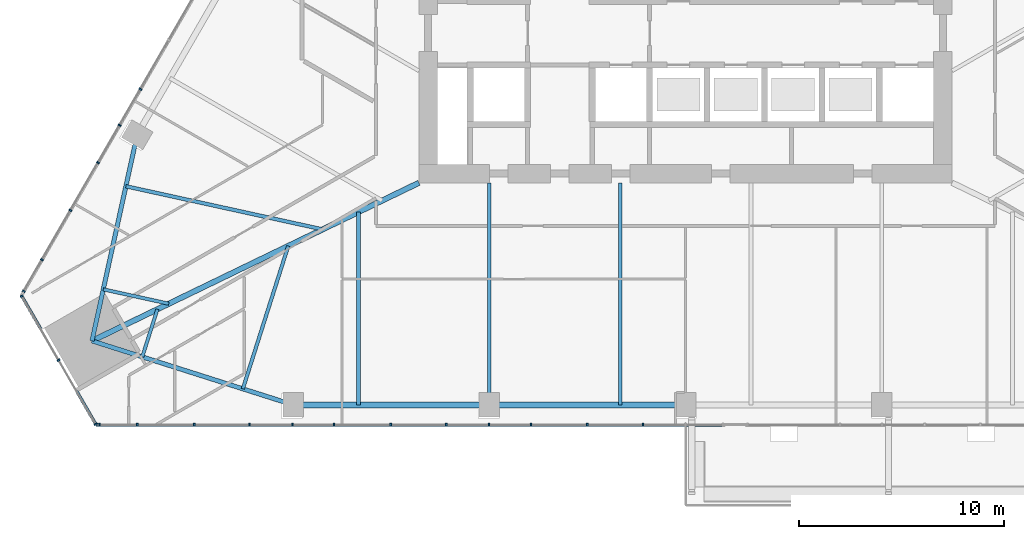
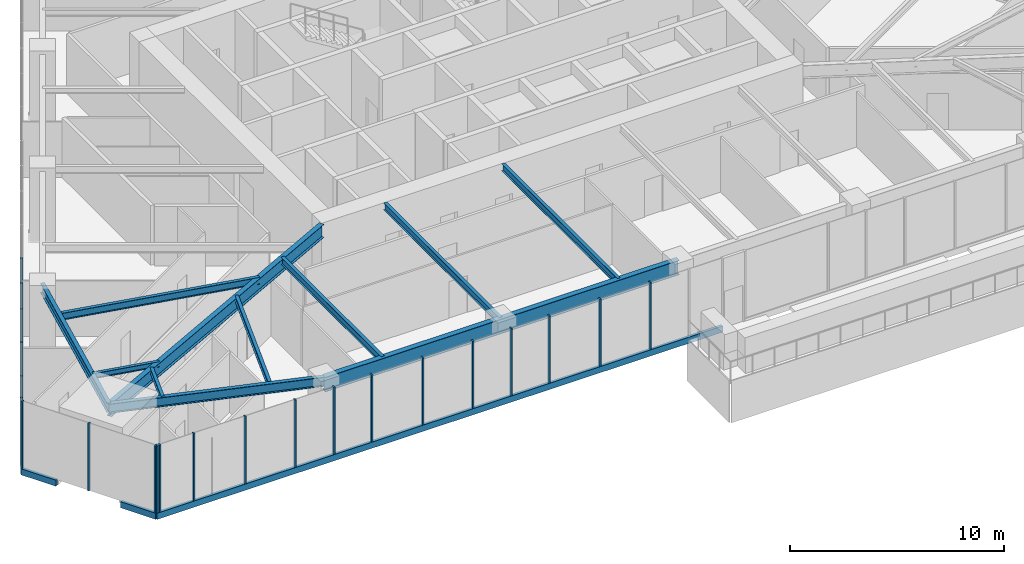
# One storey, part 2 of 29: 25 members, 11 beams, 3 elements without a shape of their own.
"""IFC4 building model written with IfcOpenShell, lengths in metres."""

from ifc_helpers import new_model, si_unit, direction, frame, origin, origin_2d, place, context, subcontext, project, spatial, rectangle, i_section, extrude, material, layer, layer_set, material_profile, profile_set, type_object, element, aggregate, save


model = new_model("IFC4")

# Units and contexts
model_context = context("Model", 3, precision=1e-05, world=origin(), true_north=direction((0.0, 1.0)))
body_context = subcontext(model_context, "Body", "Model", "MODEL_VIEW")
ifc_project = project(units=[si_unit("LENGTHUNIT", "METRE"), si_unit("AREAUNIT", "SQUARE_METRE"), si_unit("VOLUMEUNIT", "CUBIC_METRE"), si_unit("PLANEANGLEUNIT", "RADIAN"), si_unit("MASSUNIT", "GRAM", prefix="KILO")], contexts=[model_context])

# Site, building, storey
site_placement = place(None, origin())
site = spatial("IfcSite", under=ifc_project, at=site_placement, CompositionType="ELEMENT")
building_placement = place(site_placement, origin())
building = spatial("IfcBuilding", under=site, at=building_placement, Name="Firuza Gate Tower and Library", CompositionType="ELEMENT")
storey_placement = place(building_placement, frame((0.0, 0.0, 48.39990234375)))
storey = spatial("IfcBuildingStorey", under=building, at=storey_placement, Name="L10", CompositionType="ELEMENT", Elevation=48.39990234375)

# Curtain wall, members
ifc_material_1 = material(Name="Aluminium 6063-T6", Category="aluminium")
ifc_layer_1 = layer(ifc_material_1, 0.14990234375)
ifc_layer_set_1 = layer_set([ifc_layer_1], Name="Unitised curtain wall, offices")
curtain_wall_type_1 = type_object("IfcCurtainWallType", Name="Unitised curtain wall, offices", PredefinedType="NOTDEFINED", material=ifc_layer_set_1)
placement = place(storey_placement, origin())
curtain_wall_1 = element("IfcCurtainWall", 1, at=placement, inside=storey, type_object=curtain_wall_type_1, Name="CW1 L10 S face", PredefinedType="NOTDEFINED")
ifc_material_2 = material(Name="Aluminium 6063-T6", Category="aluminium")
ifc_material_profile_1 = material_profile(ifc_material_2, rectangle(XDim=0.14990234375, YDim=0.080078125, at=origin_2d()))
ifc_profile_set_1 = profile_set([ifc_material_profile_1], Name="Aluminium 6063-T6")
member_type_1 = type_object("IfcMemberType", Name="Curtain wall mullion 80x150", PredefinedType="MULLION", material=ifc_profile_set_1)
member_1_placement = place(storey_placement, frame((46.294921875, 54.197265625, 0.150146484375), z_axis=(0.0, 0.0, 1.0), x_axis=(0.0, 1.0, 0.0)))
member_1 = element("IfcMember", 2, at=member_1_placement, type_object=member_type_1, Name="Mullion", PredefinedType="MULLION", context=body_context, shape_type="SweptSolid", body=[
    extrude(rectangle(XDim=0.14990234375, YDim=0.080078125, at=origin_2d()), origin(), (0.0, 0.0, 1.0), 3.849853515625),
])
member_2_placement = place(storey_placement, frame((51.0458984375, 54.197265625, 0.150146484375), z_axis=(0.0, 0.0, 1.0), x_axis=(0.0, 1.0, 0.0)))
member_2 = element("IfcMember", 3, at=member_2_placement, type_object=member_type_1, Name="Mullion", PredefinedType="MULLION", context=body_context, shape_type="SweptSolid", body=[
    extrude(rectangle(XDim=0.14990234375, YDim=0.080078125, at=origin_2d()), origin(), (0.0, 0.0, 1.0), 3.849853515625),
])
member_3_placement = place(storey_placement, frame((55.836669921875, 54.197265625, 0.150146484375), z_axis=(0.0, 0.0, 1.0), x_axis=(0.0, 1.0, 0.0)))
member_3 = element("IfcMember", 4, at=member_3_placement, type_object=member_type_1, Name="Mullion", PredefinedType="MULLION", context=body_context, shape_type="SweptSolid", body=[
    extrude(rectangle(XDim=0.14990234375, YDim=0.080078125, at=origin_2d()), origin(), (0.0, 0.0, 1.0), 3.849853515625),
])
member_4_placement = place(storey_placement, frame((60.62744140625, 54.197265625, 0.150146484375), z_axis=(0.0, 0.0, 1.0), x_axis=(0.0, 1.0, 0.0)))
member_4 = element("IfcMember", 5, at=member_4_placement, type_object=member_type_1, Name="Mullion", PredefinedType="MULLION", context=body_context, shape_type="SweptSolid", body=[
    extrude(rectangle(XDim=0.14990234375, YDim=0.080078125, at=origin_2d()), origin(), (0.0, 0.0, 1.0), 3.849853515625),
])
member_5_placement = place(storey_placement, frame((65.41845703125, 54.197265625, 0.150146484375), z_axis=(0.0, 0.0, 1.0), x_axis=(0.0, 1.0, 0.0)))
member_5 = element("IfcMember", 6, at=member_5_placement, type_object=member_type_1, Name="Mullion", PredefinedType="MULLION", context=body_context, shape_type="SweptSolid", body=[
    extrude(rectangle(XDim=0.14990234375, YDim=0.080078125, at=origin_2d()), origin(), (0.0, 0.0, 1.0), 3.849853515625),
])
member_6_placement = place(storey_placement, frame((70.209228515625, 54.197265625, 0.150146484375), z_axis=(0.0, 0.0, 1.0), x_axis=(0.0, 1.0, 0.0)))
member_6 = element("IfcMember", 7, at=member_6_placement, type_object=member_type_1, Name="Mullion", PredefinedType="MULLION", context=body_context, shape_type="SweptSolid", body=[
    extrude(rectangle(XDim=0.14990234375, YDim=0.080078125, at=origin_2d()), origin(), (0.0, 0.0, 1.0), 3.849853515625),
])
member_7_placement = place(storey_placement, frame((46.4228515625, 54.197265625, 0.150146484375), z_axis=(0.0, 0.0, 1.0), x_axis=(0.0, 1.0, 0.0)))
member_7 = element("IfcMember", 8, at=member_7_placement, type_object=member_type_1, Name="Mullion", PredefinedType="MULLION", context=body_context, shape_type="SweptSolid", body=[
    extrude(rectangle(XDim=0.14990234375, YDim=0.080078125, at=origin_2d()), origin(), (0.0, 0.0, 1.0), 3.849853515625),
])
member_8_placement = place(storey_placement, frame((48.26611328125, 54.197265625, 0.150146484375), z_axis=(0.0, 0.0, 1.0), x_axis=(0.0, 1.0, 0.0)))
member_8 = element("IfcMember", 9, at=member_8_placement, type_object=member_type_1, Name="Mullion", PredefinedType="MULLION", context=body_context, shape_type="SweptSolid", body=[
    extrude(rectangle(XDim=0.14990234375, YDim=0.080078125, at=origin_2d()), origin(), (0.0, 0.0, 1.0), 3.849853515625),
])
member_9_placement = place(storey_placement, frame((53.73388671875, 54.197265625, 0.150146484375), z_axis=(0.0, 0.0, 1.0), x_axis=(0.0, 1.0, 0.0)))
member_9 = element("IfcMember", 10, at=member_9_placement, type_object=member_type_1, Name="Mullion", PredefinedType="MULLION", context=body_context, shape_type="SweptSolid", body=[
    extrude(rectangle(XDim=0.14990234375, YDim=0.080078125, at=origin_2d()), origin(), (0.0, 0.0, 1.0), 3.849853515625),
])
member_10_placement = place(storey_placement, frame((57.8662109375, 54.197265625, 0.150146484375), z_axis=(0.0, 0.0, 1.0), x_axis=(0.0, 1.0, 0.0)))
member_10 = element("IfcMember", 11, at=member_10_placement, type_object=member_type_1, Name="Mullion", PredefinedType="MULLION", context=body_context, shape_type="SweptSolid", body=[
    extrude(rectangle(XDim=0.14990234375, YDim=0.080078125, at=origin_2d()), origin(), (0.0, 0.0, 1.0), 3.849853515625),
])
member_11_placement = place(storey_placement, frame((63.333740234375, 54.197265625, 0.150146484375), z_axis=(0.0, 0.0, 1.0), x_axis=(0.0, 1.0, 0.0)))
member_11 = element("IfcMember", 12, at=member_11_placement, type_object=member_type_1, Name="Mullion", PredefinedType="MULLION", context=body_context, shape_type="SweptSolid", body=[
    extrude(rectangle(XDim=0.14990234375, YDim=0.080078125, at=origin_2d()), origin(), (0.0, 0.0, 1.0), 3.849853515625),
])
member_12_placement = place(storey_placement, frame((67.466064453125, 54.197265625, 0.150146484375), z_axis=(0.0, 0.0, 1.0), x_axis=(0.0, 1.0, 0.0)))
member_12 = element("IfcMember", 13, at=member_12_placement, type_object=member_type_1, Name="Mullion", PredefinedType="MULLION", context=body_context, shape_type="SweptSolid", body=[
    extrude(rectangle(XDim=0.14990234375, YDim=0.080078125, at=origin_2d()), origin(), (0.0, 0.0, 1.0), 3.849853515625),
])
member_13_placement = place(storey_placement, frame((72.933837890625, 54.197265625, 0.150146484375), z_axis=(0.0, 0.0, 1.0), x_axis=(0.0, 1.0, 0.0)))
member_13 = element("IfcMember", 14, at=member_13_placement, type_object=member_type_1, Name="Mullion", PredefinedType="MULLION", context=body_context, shape_type="SweptSolid", body=[
    extrude(rectangle(XDim=0.14990234375, YDim=0.080078125, at=origin_2d()), origin(), (0.0, 0.0, 1.0), 3.849853515625),
])

curtain_wall_2 = element("IfcCurtainWall", 15, at=placement, inside=storey, type_object=curtain_wall_type_1, Name="CW1 L10 W face", PredefinedType="NOTDEFINED")
member_14_placement = place(storey_placement, frame((47.402587890625, 68.805419921875, 0.150146484375), z_axis=(0.0, 0.0, 1.0), x_axis=(0.866025403784, -0.5, 0.0)))
member_14 = element("IfcMember", 16, at=member_14_placement, type_object=member_type_1, Name="Mullion", PredefinedType="MULLION", context=body_context, shape_type="SweptSolid", body=[
    extrude(rectangle(XDim=0.14990234375, YDim=0.080078125, at=origin_2d()), origin(), (0.0, 0.0, 1.0), 3.849853515625),
])
member_15_placement = place(storey_placement, frame((45.007080078125, 64.656494140625, 0.150146484375), z_axis=(0.0, 0.0, 1.0), x_axis=(0.866025403784, -0.5, 0.0)))
member_15 = element("IfcMember", 17, at=member_15_placement, type_object=member_type_1, Name="Mullion", PredefinedType="MULLION", context=body_context, shape_type="SweptSolid", body=[
    extrude(rectangle(XDim=0.14990234375, YDim=0.080078125, at=origin_2d()), origin(), (0.0, 0.0, 1.0), 3.849853515625),
])
member_16_placement = place(storey_placement, frame((48.417236328125, 70.56298828125, 0.150146484375), z_axis=(0.0, 0.0, 1.0), x_axis=(0.866025403784, -0.5, 0.0)))
member_16 = element("IfcMember", 18, at=member_16_placement, type_object=member_type_1, Name="Mullion", PredefinedType="MULLION", context=body_context, shape_type="SweptSolid", body=[
    extrude(rectangle(XDim=0.14990234375, YDim=0.080078125, at=origin_2d()), origin(), (0.0, 0.0, 1.0), 3.849853515625),
])
member_17_placement = place(storey_placement, frame((46.35107421875, 66.984375, 0.150146484375), z_axis=(0.0, 0.0, 1.0), x_axis=(0.866025403784, -0.5, 0.0)))
member_17 = element("IfcMember", 19, at=member_17_placement, type_object=member_type_1, Name="Mullion", PredefinedType="MULLION", context=body_context, shape_type="SweptSolid", body=[
    extrude(rectangle(XDim=0.14990234375, YDim=0.080078125, at=origin_2d()), origin(), (0.0, 0.0, 1.0), 3.849853515625),
])
member_18_placement = place(storey_placement, frame((43.6171875, 62.249267578125, 0.150146484375), z_axis=(0.0, 0.0, 1.0), x_axis=(0.866025403784, -0.5, 0.0)))
member_18 = element("IfcMember", 20, at=member_18_placement, type_object=member_type_1, Name="Mullion", PredefinedType="MULLION", context=body_context, shape_type="SweptSolid", body=[
    extrude(rectangle(XDim=0.14990234375, YDim=0.080078125, at=origin_2d()), origin(), (0.0, 0.0, 1.0), 3.849853515625),
])
member_19_placement = place(storey_placement, frame((42.72802734375, 60.709228515625, 0.150146484375), z_axis=(0.0, 0.0, 1.0), x_axis=(0.866025403784, -0.5, 0.0)))
member_19 = element("IfcMember", 21, at=member_19_placement, type_object=member_type_1, Name="Mullion", PredefinedType="MULLION", context=body_context, shape_type="SweptSolid", body=[
    extrude(rectangle(XDim=0.14990234375, YDim=0.080078125, at=origin_2d()), origin(), (0.0, 0.0, 1.0), 3.849853515625),
])
aggregate(curtain_wall_2, [member_14, member_15, member_16, member_17, member_18, member_19])

ifc_material_3 = material(Name="Aluminium 6063-T6", Category="aluminium")
ifc_layer_2 = layer(ifc_material_3, 0.14990234375)
ifc_layer_set_2 = layer_set([ifc_layer_2], Name="Corner curtain wall, chamfers")
curtain_wall_type_2 = type_object("IfcCurtainWallType", Name="Corner curtain wall, chamfers", PredefinedType="NOTDEFINED", material=ifc_layer_set_2)
curtain_wall_3 = element("IfcCurtainWall", 22, at=placement, inside=storey, type_object=curtain_wall_type_2, Name="CW4 L10 SW corner", PredefinedType="NOTDEFINED")
member_20_placement = place(storey_placement, frame((42.631591796875, 60.472900390625, 0.150146484375), z_axis=(0.0, 0.0, 1.0), x_axis=(0.866025403784, 0.5, 0.0)))
member_20 = element("IfcMember", 23, at=member_20_placement, type_object=member_type_1, Name="Mullion", PredefinedType="MULLION", context=body_context, shape_type="SweptSolid", body=[
    extrude(rectangle(XDim=0.14990234375, YDim=0.080078125, at=origin_2d()), origin(), (0.0, 0.0, 1.0), 3.849853515625),
])
member_21_placement = place(storey_placement, frame((44.433349609375, 57.352294921875, 0.150146484375), z_axis=(0.0, 0.0, 1.0), x_axis=(0.866025403784, 0.5, 0.0)))
member_21 = element("IfcMember", 24, at=member_21_placement, type_object=member_type_1, Name="Mullion", PredefinedType="MULLION", context=body_context, shape_type="SweptSolid", body=[
    extrude(rectangle(XDim=0.14990234375, YDim=0.080078125, at=origin_2d()), origin(), (0.0, 0.0, 1.0), 3.849853515625),
])
member_22_placement = place(storey_placement, frame((46.235107421875, 54.231689453125, 0.150146484375), z_axis=(0.0, 0.0, 1.0), x_axis=(0.866025403784, 0.5, 0.0)))
member_22 = element("IfcMember", 25, at=member_22_placement, type_object=member_type_1, Name="Mullion", PredefinedType="MULLION", context=body_context, shape_type="SweptSolid", body=[
    extrude(rectangle(XDim=0.14990234375, YDim=0.080078125, at=origin_2d()), origin(), (0.0, 0.0, 1.0), 3.849853515625),
])

# Member
ifc_material_4 = material(Name="Aluminium 6063-T6", Category="aluminium")
ifc_material_profile_2 = material_profile(ifc_material_4, rectangle(XDim=0.14990234375, YDim=0.35009765625, at=origin_2d()))
ifc_profile_set_2 = profile_set([ifc_material_profile_2], Name="Aluminium 6063-T6")
member_type_2 = type_object("IfcMemberType", Name="Curtain wall transom 350x150", PredefinedType="USERDEFINED", material=ifc_profile_set_2)
member_23_placement = place(storey_placement, frame((46.255126953125, 54.197265625, -0.02490234375), z_axis=(1.0, 0.0, 0.0), x_axis=(0.0, 1.0, 0.0)))
member_23 = element("IfcMember", 26, at=member_23_placement, type_object=member_type_2, Name="Transom", ObjectType="TRANSOM", PredefinedType="USERDEFINED", context=body_context, shape_type="SweptSolid", body=[
    extrude(rectangle(XDim=0.14990234375, YDim=0.35009765625, at=origin_2d()), origin(), (0.0, 0.0, 1.0), 30.56494140625),
])

aggregate(curtain_wall_1, [member_1, member_2, member_3, member_4, member_5, member_6, member_23, member_7, member_8, member_9, member_10, member_11, member_12, member_13])

member_24_placement = place(storey_placement, frame((42.61181640625, 60.507568359375, -0.02490234375), z_axis=(0.499983064336, -0.866035181374, 0.0), x_axis=(0.866035181374, 0.499983064336, 0.0)))
member_24 = element("IfcMember", 27, at=member_24_placement, type_object=member_type_2, Name="Transom", ObjectType="TRANSOM", PredefinedType="USERDEFINED", context=body_context, shape_type="SweptSolid", body=[
    extrude(rectangle(XDim=0.14990234375, YDim=0.35009765625, at=origin_2d()), origin(), (0.0, 0.0, 1.0), 1.89208984375),
])

member_25_placement = place(storey_placement, frame((45.308837890625, 55.835693359375, -0.02490234375), z_axis=(0.50013570633, -0.86594703952, 0.0), x_axis=(0.86594703952, 0.50013570633, 0.0)))
member_25 = element("IfcMember", 28, at=member_25_placement, type_object=member_type_2, Name="Transom", ObjectType="TRANSOM", PredefinedType="USERDEFINED", context=body_context, shape_type="SweptSolid", body=[
    extrude(rectangle(XDim=0.14990234375, YDim=0.35009765625, at=origin_2d()), origin(), (0.0, 0.0, 1.0), 1.89208984375),
])

aggregate(curtain_wall_3, [member_20, member_21, member_22, member_24, member_25])

# Beams
ifc_material_5 = material(Name="Steel S355", Category="steel")
ifc_material_profile_3 = material_profile(ifc_material_5, i_section(OverallWidth=0.1650390625, OverallDepth=0.31005859375, WebThickness=0.005859375, FlangeThickness=0.009765625, at=origin_2d()))
ifc_profile_set_3 = profile_set([ifc_material_profile_3], Name="Steel S355")
beam_type_1 = type_object("IfcBeamType", Name="W310x39 Floor beam", PredefinedType="JOIST", material=ifc_profile_set_3)
beam_1_placement = place(storey_placement, frame((46.608154296875, 60.80322265625, 3.84521484375), z_axis=(0.976795755161, -0.21417295044, 0.0), x_axis=(0.21417295044, 0.976795755161, 0.0)))
element("IfcBeam", 29, at=beam_1_placement, inside=storey, type_object=beam_type_1, Name="Floor beam L10 s01", PredefinedType="JOIST", context=body_context, shape_type="SweptSolid", body=[
    extrude(i_section(OverallWidth=0.1650390625, OverallDepth=0.31005859375, WebThickness=0.005859375, FlangeThickness=0.009765625, at=origin_2d()), origin(), (0.0, 0.0, 1.0), 3.272705078125),
])
beam_2_placement = place(storey_placement, frame((48.50927734375, 57.510498046875, 3.84521484375), z_axis=(0.302881069843, 0.953028361346, 0.0), x_axis=(-0.953028361346, 0.302881069843, 0.0)))
element("IfcBeam", 30, at=beam_2_placement, inside=storey, type_object=beam_type_1, Name="Floor beam L10 s10", PredefinedType="JOIST", context=body_context, shape_type="SweptSolid", body=[
    extrude(i_section(OverallWidth=0.1650390625, OverallDepth=0.31005859375, WebThickness=0.005859375, FlangeThickness=0.009765625, at=origin_2d()), origin(), (0.0, 0.0, 1.0), 2.436767578125),
])
ifc_material_6 = material(Name="Steel S355", Category="steel")
ifc_material_profile_4 = material_profile(ifc_material_6, i_section(OverallWidth=0.1708984375, OverallDepth=0.35498046875, WebThickness=0.007080078125, FlangeThickness=0.01171875, at=origin_2d()))
ifc_profile_set_4 = profile_set([ifc_material_profile_4], Name="Steel S355")
beam_type_2 = type_object("IfcBeamType", Name="W360x51 Floor beam", PredefinedType="JOIST", material=ifc_profile_set_4)
beam_3_placement = place(storey_placement, frame((53.413330078125, 55.95166015625, 3.822509765625), z_axis=(0.302941735261, 0.9530090792, 0.0), x_axis=(-0.9530090792, 0.302941735261, 0.0)))
element("IfcBeam", 31, at=beam_3_placement, inside=storey, type_object=beam_type_2, Name="Floor beam L10 s11", PredefinedType="JOIST", context=body_context, shape_type="SweptSolid", body=[
    extrude(i_section(OverallWidth=0.1708984375, OverallDepth=0.35498046875, WebThickness=0.007080078125, FlangeThickness=0.01171875, at=origin_2d()), origin(), (0.0, 0.0, 1.0), 7.310302734375),
])
ifc_material_7 = material(Name="Steel S355", Category="steel")
ifc_material_profile_5 = material_profile(ifc_material_7, i_section(OverallWidth=0.177978515625, OverallDepth=0.406982421875, WebThickness=0.0078125, FlangeThickness=0.0126953125, at=origin_2d()))
ifc_profile_set_5 = profile_set([ifc_material_profile_5], Name="Steel S355")
beam_type_3 = type_object("IfcBeamType", Name="W410x60 Floor beam", PredefinedType="JOIST", material=ifc_profile_set_5)
beam_4_placement = place(storey_placement, frame((47.710205078125, 65.82958984375, 3.796630859375), z_axis=(0.976798676094, -0.214159628272, 0.0), x_axis=(0.214159628272, 0.976798676094, 0.0)))
element("IfcBeam", 32, at=beam_4_placement, inside=storey, type_object=beam_type_3, Name="Floor beam L10 s00", PredefinedType="JOIST", context=body_context, shape_type="SweptSolid", body=[
    extrude(i_section(OverallWidth=0.177978515625, OverallDepth=0.406982421875, WebThickness=0.0078125, FlangeThickness=0.0126953125, at=origin_2d()), origin(), (0.0, 0.0, 1.0), 9.817626953125),
])
beam_5_placement = place(storey_placement, frame((59.0546875, 55.172119140625, 3.796630859375), z_axis=(0.0, 1.0, 0.0), x_axis=(-1.0, 0.0, 0.0)))
element("IfcBeam", 33, at=beam_5_placement, inside=storey, type_object=beam_type_3, Name="Floor beam L10 s20", PredefinedType="JOIST", context=body_context, shape_type="SweptSolid", body=[
    extrude(i_section(OverallWidth=0.177978515625, OverallDepth=0.406982421875, WebThickness=0.0078125, FlangeThickness=0.0126953125, at=origin_2d()), origin(), (0.0, 0.0, 1.0), 9.403564453125),
])
for number, where, z_axis, x_axis, name in (
    (34, (65.432861328125, 55.172119140625, 3.796630859375), (0.0, 1.0, 0.0), (-1.0, 0.0, 0.0), "Floor beam L10 s21"),
    (35, (71.81103515625, 55.172119140625, 3.796630859375), (0.0, 1.0, 0.0), (-1.0, 0.0, 0.0), "Floor beam L10 s22"),
):
    element("IfcBeam", number, at=place(storey_placement, frame(where, z_axis=z_axis, x_axis=x_axis)), inside=storey, type_object=beam_type_3, Name=name, PredefinedType="JOIST", context=body_context, shape_type="SweptSolid", body=[
        extrude(i_section(OverallWidth=0.177978515625, OverallDepth=0.406982421875, WebThickness=0.0078125, FlangeThickness=0.0126953125, at=origin_2d()), origin(), (0.0, 0.0, 1.0), 10.827880859375),
    ])
ifc_material_8 = material(Name="Steel S355", Category="steel")
ifc_material_profile_6 = material_profile(ifc_material_8, i_section(OverallWidth=0.212890625, OverallDepth=0.5390625, WebThickness=0.01171875, FlangeThickness=0.018798828125, at=origin_2d()))
ifc_profile_set_6 = profile_set([ifc_material_profile_6], Name="Steel S355")
beam_type_4 = type_object("IfcBeamType", Name="W530x109 Edge beam", PredefinedType="SPANDREL", material=ifc_profile_set_6)
for number, where, z_axis, x_axis, name in (
    (36, (48.26123046875, 68.343017578125, 3.730712890625), (-0.214156691919, -0.976799319874, 0.0), (0.976799319874, -0.214156691919, 0.0), "Edge beam L10 e00"),
    (37, (46.05712890625, 58.289794921875, 3.730712890625), (0.953014528188, -0.30292459303, 0.0), (0.30292459303, 0.953014528188, 0.0), "Edge beam L10 e10"),
):
    element("IfcBeam", number, at=place(storey_placement, frame(where, z_axis=z_axis, x_axis=x_axis)), inside=storey, type_object=beam_type_4, Name=name, PredefinedType="SPANDREL", context=body_context, shape_type="SweptSolid", body=[
        extrude(i_section(OverallWidth=0.212890625, OverallDepth=0.5390625, WebThickness=0.01171875, FlangeThickness=0.018798828125, at=origin_2d()), origin(), (0.0, 0.0, 1.0), 10.2919921875),
    ])
ifc_material_9 = material(Name="Steel S355", Category="steel")
ifc_material_profile_7 = material_profile(ifc_material_9, i_section(OverallWidth=0.264892578125, OverallDepth=0.7529296875, WebThickness=0.01318359375, FlangeThickness=0.01708984375, at=origin_2d()))
ifc_profile_set_7 = profile_set([ifc_material_profile_7], Name="Steel S355")
beam_type_5 = type_object("IfcBeamType", Name="W760x147 Girder", PredefinedType="BEAM", material=ifc_profile_set_7)
beam_6_placement = place(storey_placement, frame((46.05712890625, 58.289794921875, 3.62353515625), z_axis=(0.900249724041, 0.435373901794, 0.0), x_axis=(-0.435373901794, 0.900249724041, 0.0)))
element("IfcBeam", 38, at=beam_6_placement, inside=storey, type_object=beam_type_5, Name="Girder L10 gSW", PredefinedType="BEAM", context=body_context, shape_type="SweptSolid", body=[
    extrude(i_section(OverallWidth=0.264892578125, OverallDepth=0.7529296875, WebThickness=0.01318359375, FlangeThickness=0.01708984375, at=origin_2d()), origin(), (0.0, 0.0, 1.0), 17.70947265625),
])
ifc_material_10 = material(Name="Steel S355", Category="steel")
ifc_material_profile_8 = material_profile(ifc_material_10, i_section(OverallWidth=0.2919921875, OverallDepth=0.8349609375, WebThickness=0.013916015625, FlangeThickness=0.018798828125, at=origin_2d()))
ifc_profile_set_8 = profile_set([ifc_material_profile_8], Name="Steel S355")
beam_type_6 = type_object("IfcBeamType", Name="W840x176 Edge beam", PredefinedType="SPANDREL", material=ifc_profile_set_8)
beam_7_placement = place(storey_placement, frame((55.865478515625, 55.172119140625, 3.58251953125), z_axis=(1.0, 0.0, 0.0), x_axis=(0.0, 1.0, 0.0)))
element("IfcBeam", 39, at=beam_7_placement, inside=storey, type_object=beam_type_6, Name="Edge beam L10 e20", PredefinedType="SPANDREL", context=body_context, shape_type="SweptSolid", body=[
    extrude(i_section(OverallWidth=0.2919921875, OverallDepth=0.8349609375, WebThickness=0.013916015625, FlangeThickness=0.018798828125, at=origin_2d()), origin(), (0.0, 0.0, 1.0), 19.134521484375),
])

save(model, "model.ifc")
